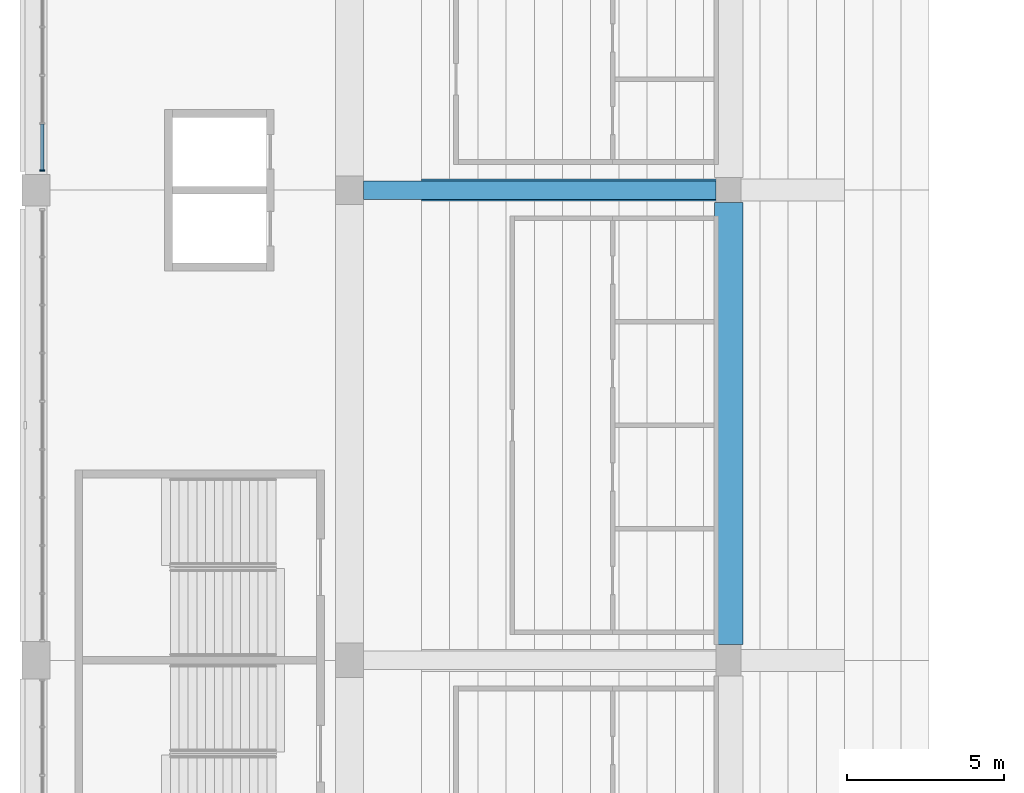
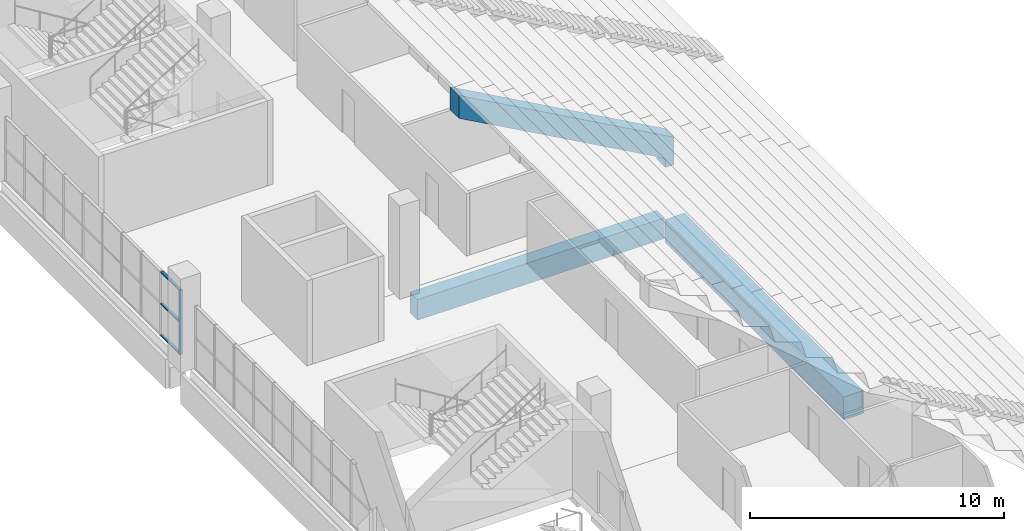
# One storey, part 22 of 249: 4 members, 3 beams, 1 element without a shape of its own.
"""IFC4 building model written with IfcOpenShell, lengths in metres."""

from ifc_helpers import new_model, si_unit, direction, frame, origin, origin_2d, place, context, subcontext, project, spatial, polyline, rectangle, outline, extrude, material, material_profile, profile_set, type_object, element, aggregate, save


model = new_model("IFC4")

# Units and contexts
model_context = context("Model", 3, precision=1e-05, world=origin(), true_north=direction((0.0, 1.0)))
body_context = subcontext(model_context, "Body", "Model", "MODEL_VIEW")
ifc_project = project(units=[si_unit("LENGTHUNIT", "METRE"), si_unit("AREAUNIT", "SQUARE_METRE"), si_unit("VOLUMEUNIT", "CUBIC_METRE"), si_unit("PLANEANGLEUNIT", "RADIAN"), si_unit("MASSUNIT", "GRAM", prefix="KILO")], contexts=[model_context])

# Site, building, storey
site_placement = place(None, origin())
site = spatial("IfcSite", under=ifc_project, at=site_placement, CompositionType="ELEMENT")
building_placement = place(site_placement, origin())
building = spatial("IfcBuilding", under=site, at=building_placement, Name="Ogive Plaza Stadium", CompositionType="ELEMENT")
storey_placement = place(building_placement, frame((0.0, 0.0, 13.5)))
storey = spatial("IfcBuildingStorey", under=building, at=storey_placement, Name="L03", CompositionType="ELEMENT", Elevation=13.5)

# Curtain wall, members
ifc_material_1 = material(Name="Bronze-anodised aluminium with laminated glass", Category="aluminium")
curtain_wall_type = type_object("IfcCurtainWallType", Name="Lancet curtain wall", PredefinedType="NOTDEFINED", material=ifc_material_1)
curtain_wall_placement = place(storey_placement, origin())
curtain_wall = element("IfcCurtainWall", 1, at=curtain_wall_placement, inside=storey, type_object=curtain_wall_type, Name="CURTAIN WALL B25 L03", PredefinedType="NOTDEFINED")
ifc_material_2 = material(Name="Bronze-anodised aluminium", Category="aluminium")
ifc_material_profile_1 = material_profile(ifc_material_2, rectangle(XDim=0.14990234375, YDim=0.050048828125, at=origin_2d()), Name="AL 150x50")
ifc_profile_set_1 = profile_set([ifc_material_profile_1], Name="Bronze-anodised aluminium")
member_type_1 = type_object("IfcMemberType", Name="Curtain wall mullion 50x150", PredefinedType="MULLION", material=ifc_profile_set_1)
member_1_placement = place(storey_placement, frame((-83.800048828125, 8.125, 0.0), z_axis=(0.0, 0.0, 1.0), x_axis=(-1.0, 0.0, 0.0)))
member_1 = element("IfcMember", 2, at=member_1_placement, type_object=member_type_1, Name="CW-B25-L03 mullion 1", PredefinedType="MULLION", context=body_context, shape_type="SweptSolid", body=[
    extrude(rectangle(XDim=0.14990234375, YDim=0.050048828125, at=origin_2d()), origin(), (0.0, 0.0, 1.0), 3.090087890625),
])
ifc_material_3 = material(Name="Bronze-anodised aluminium", Category="aluminium")
ifc_material_profile_2 = material_profile(ifc_material_3, rectangle(XDim=0.1201171875, YDim=0.050048828125, at=origin_2d()), Name="AL 120x50")
ifc_profile_set_2 = profile_set([ifc_material_profile_2], Name="Bronze-anodised aluminium")
member_type_2 = type_object("IfcMemberType", Name="Curtain wall transom 50x120", PredefinedType="USERDEFINED", material=ifc_profile_set_2)
member_2_placement = place(storey_placement, frame((-83.800048828125, 8.14990234375, 0.02490234375), z_axis=(0.0, 1.0, 0.0), x_axis=(-1.0, 0.0, 0.0)))
member_2 = element("IfcMember", 3, at=member_2_placement, type_object=member_type_2, Name="CW-B25-L03 transom 1.1", ObjectType="TRANSOM", PredefinedType="USERDEFINED", context=body_context, shape_type="SweptSolid", body=[
    extrude(rectangle(XDim=0.1201171875, YDim=0.050048828125, at=origin_2d()), origin(), (0.0, 0.0, 1.0), 1.45849609375),
])
member_3_placement = place(storey_placement, frame((-83.800048828125, 8.14990234375, 1.544921875), z_axis=(0.0, 1.0, 0.0), x_axis=(-1.0, 0.0, 0.0)))
member_3 = element("IfcMember", 4, at=member_3_placement, type_object=member_type_2, Name="CW-B25-L03 transom 1.2", ObjectType="TRANSOM", PredefinedType="USERDEFINED", context=body_context, shape_type="SweptSolid", body=[
    extrude(rectangle(XDim=0.1201171875, YDim=0.050048828125, at=origin_2d()), origin(), (0.0, 0.0, 1.0), 1.45849609375),
])
member_4_placement = place(storey_placement, frame((-83.800048828125, 8.14990234375, 3.06494140625), z_axis=(0.0, 1.0, 0.0), x_axis=(-1.0, 0.0, 0.0)))
member_4 = element("IfcMember", 5, at=member_4_placement, type_object=member_type_2, Name="CW-B25-L03 transom 1.3", ObjectType="TRANSOM", PredefinedType="USERDEFINED", context=body_context, shape_type="SweptSolid", body=[
    extrude(rectangle(XDim=0.1201171875, YDim=0.050048828125, at=origin_2d()), origin(), (0.0, 0.0, 1.0), 1.45849609375),
])
aggregate(curtain_wall, [member_1, member_2, member_3, member_4])

# Beams
ifc_material_4 = material(Name="Concrete C45/55 precast", Category="concrete")
ifc_material_profile_3 = material_profile(ifc_material_4, rectangle(XDim=0.699951171875, YDim=1.10009765625, at=origin_2d()), Name="RC 700x1100")
ifc_profile_set_3 = profile_set([ifc_material_profile_3], Name="Concrete C45/55 precast")
beam_type_1 = type_object("IfcBeamType", Name="Precast raker UT back-span 700x1100", PredefinedType="USERDEFINED", material=ifc_profile_set_3)
beam_1_placement = place(storey_placement, frame((-34.0, 7.5, -13.5), z_axis=(0.0, 0.0, 1.0), x_axis=(-1.0, 0.0, 0.0)))
element("IfcBeam", 6, at=beam_1_placement, inside=storey, type_object=beam_type_1, Name="RAKER UT BACK-SPAN R25", ObjectType="RAKER", PredefinedType="USERDEFINED", context=body_context, shape_type="SweptSolid", body=[
    extrude(outline(polyline([(27.89990234375, 15.533203125), (28.300048828125, 15.533203125), (28.300048828125, 15.977783203125), (37.699951171875, 21.199951171875), (37.699951171875, 22.300048828125), (27.89990234375, 16.855712890625), (27.89990234375, 15.533203125)])), frame((0.0, 0.35009765625, 0.0), z_axis=(0.0, -1.0, 0.0), x_axis=(1.0, 0.0, 0.0)), (0.0, 0.0, 1.0), 0.699951171875),
])
ifc_material_5 = material(Name="Concrete C40/50", Category="concrete")
ifc_material_profile_4 = material_profile(ifc_material_5, rectangle(XDim=0.60009765625, YDim=1.0, at=origin_2d()), Name="RC 600x1000")
ifc_profile_set_4 = profile_set([ifc_material_profile_4], Name="Concrete C40/50")
beam_type_2 = type_object("IfcBeamType", Name="RC radial beam 600x1000", PredefinedType="BEAM", material=ifc_profile_set_4)
beam_2_placement = place(storey_placement, frame((-62.300048828125, 7.5, -0.909912109375), z_axis=(-1.0, 0.0, 0.0), x_axis=(0.0, -1.0, 0.0)))
element("IfcBeam", 7, at=beam_2_placement, inside=storey, type_object=beam_type_2, Name="Radial beam L03 R25 F3F4", PredefinedType="BEAM", context=body_context, shape_type="SweptSolid", body=[
    extrude(rectangle(XDim=0.60009765625, YDim=1.0, at=origin_2d()), origin(), (0.0, 0.0, 1.0), 11.25),
])
ifc_material_6 = material(Name="Concrete C40/50", Category="concrete")
ifc_material_profile_5 = material_profile(ifc_material_6, rectangle(XDim=0.89990234375, YDim=1.10009765625, at=origin_2d()), Name="RC 900x1100")
ifc_profile_set_5 = profile_set([ifc_material_profile_5], Name="Concrete C40/50")
beam_type_3 = type_object("IfcBeamType", Name="RC ring beam 900x1100", PredefinedType="BEAM", material=ifc_profile_set_5)
beam_3_placement = place(storey_placement, frame((-61.89990234375, -7.0, -0.9599609375), z_axis=(0.0, 1.0, 0.0), x_axis=(-1.0, 0.0, 0.0)))
element("IfcBeam", 8, at=beam_3_placement, inside=storey, type_object=beam_type_3, Name="Ring beam F3 L03 B24", PredefinedType="BEAM", context=body_context, shape_type="SweptSolid", body=[
    extrude(rectangle(XDim=0.89990234375, YDim=1.10009765625, at=origin_2d()), origin(), (0.0, 0.0, 1.0), 14.10009765625),
])

save(model, "model.ifc")
